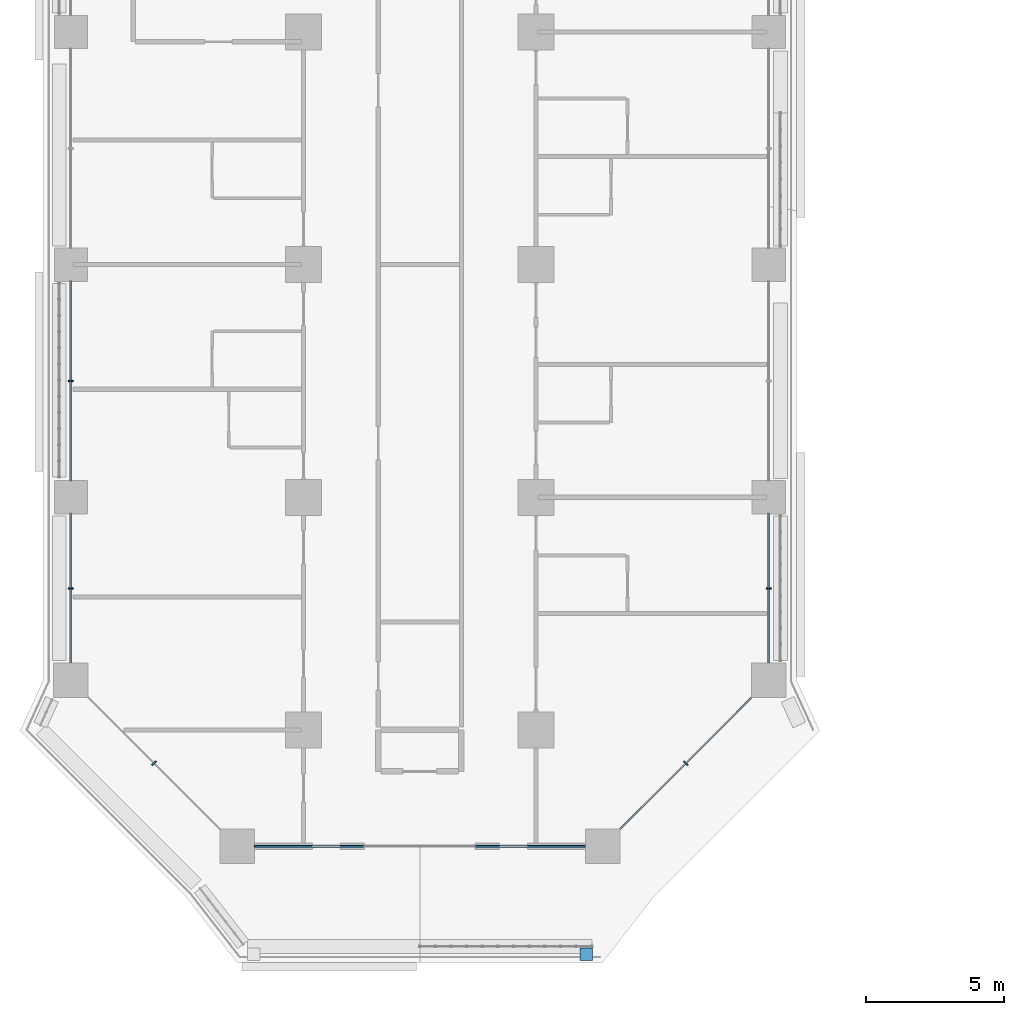
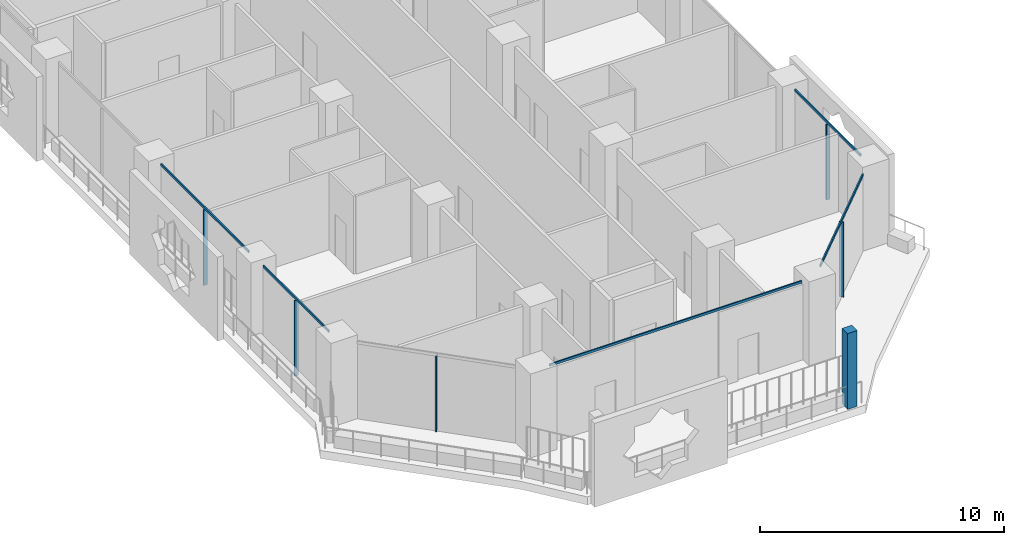
# One storey, part 2 of 29: 11 members, 6 elements without a shape of their own.
"""IFC4 building model written with IfcOpenShell, lengths in metres."""

from ifc_helpers import new_model, si_unit, direction, frame, origin, origin_2d, place, context, subcontext, project, spatial, rectangle, extrude, material, layer, layer_set, material_profile, profile_set, type_object, element, aggregate, save


model = new_model("IFC4")

# Units and contexts
model_context = context("Model", 3, precision=1e-05, world=origin(), true_north=direction((0.0, 1.0)))
body_context = subcontext(model_context, "Body", "Model", "MODEL_VIEW")
ifc_project = project(units=[si_unit("LENGTHUNIT", "METRE"), si_unit("AREAUNIT", "SQUARE_METRE"), si_unit("VOLUMEUNIT", "CUBIC_METRE"), si_unit("PLANEANGLEUNIT", "RADIAN"), si_unit("MASSUNIT", "GRAM", prefix="KILO")], contexts=[model_context])

# Site, building, storey
site_placement = place(None, origin())
site = spatial("IfcSite", under=ifc_project, at=site_placement, CompositionType="ELEMENT")
building_placement = place(site_placement, origin())
building = spatial("IfcBuilding", under=site, at=building_placement, Name="Kawkab Arch Medical Tower", CompositionType="ELEMENT")
storey_placement = place(building_placement, frame((0.0, 0.0, 64.39990234375)))
storey = spatial("IfcBuildingStorey", under=building, at=storey_placement, Name="L14", CompositionType="ELEMENT", Elevation=64.39990234375)

# Curtain wall, members
ifc_material_1 = material(Name="Bronze anodised aluminium curtain wall frame", Category="aluminium")
ifc_layer_1 = layer(ifc_material_1, 0.159912109375)
ifc_layer_set_1 = layer_set([ifc_layer_1], Name="Bronze anodised aluminium curtain wall frame")
curtain_wall_type_1 = type_object("IfcCurtainWallType", Name="CW1 ward curtain wall", PredefinedType="NOTDEFINED", material=ifc_layer_set_1)
placement = place(storey_placement, origin())
curtain_wall_1 = element("IfcCurtainWall", 1, at=placement, inside=storey, type_object=curtain_wall_type_1, Name="CW1 Ward curtain wall R01", PredefinedType="NOTDEFINED")
ifc_material_2 = material(Name="Bronze anodised aluminium curtain wall frame", Category="aluminium")
ifc_material_profile_1 = material_profile(ifc_material_2, rectangle(XDim=0.179931640625, YDim=0.06005859375, at=origin_2d()), Name="AL 60x180")
ifc_profile_set_1 = profile_set([ifc_material_profile_1], Name="Bronze anodised aluminium curtain wall frame")
member_type_1 = type_object("IfcMemberType", Name="CW1 mullion 60 x 180", PredefinedType="MULLION", material=ifc_profile_set_1)
member_1_placement = place(storey_placement, frame((0.0, -54.60009765625, 0.0), z_axis=(0.0, 0.0, 1.0), x_axis=(1.0, 0.0, 0.0)))
member_1 = element("IfcMember", 2, at=member_1_placement, type_object=member_type_1, Name="CW1 mullion 6.1", PredefinedType="MULLION", context=body_context, shape_type="SweptSolid", body=[
    extrude(rectangle(XDim=0.179931640625, YDim=0.06005859375, at=origin_2d()), origin(), (0.0, 0.0, 1.0), 3.780029296875),
])
member_2_placement = place(storey_placement, frame((0.0, -62.08740234375, 0.0), z_axis=(0.0, 0.0, 1.0), x_axis=(1.0, 0.0, 0.0)))
member_2 = element("IfcMember", 3, at=member_2_placement, type_object=member_type_1, Name="CW1 mullion 7.1", PredefinedType="MULLION", context=body_context, shape_type="SweptSolid", body=[
    extrude(rectangle(XDim=0.179931640625, YDim=0.06005859375, at=origin_2d()), origin(), (0.0, 0.0, 1.0), 3.780029296875),
])

# Curtain wall, member
curtain_wall_2 = element("IfcCurtainWall", 4, at=placement, inside=storey, type_object=curtain_wall_type_1, Name="CW1 Ward curtain wall R05", PredefinedType="NOTDEFINED")
member_3_placement = place(storey_placement, frame((25.199951171875, -62.08740234375, 0.0), z_axis=(0.0, 0.0, 1.0), x_axis=(-1.0, 0.0, 0.0)))
member_3 = element("IfcMember", 5, at=member_3_placement, type_object=member_type_1, Name="CW1 mullion 1.1", PredefinedType="MULLION", context=body_context, shape_type="SweptSolid", body=[
    extrude(rectangle(XDim=0.179931640625, YDim=0.06005859375, at=origin_2d()), origin(), (0.0, 0.0, 1.0), 3.780029296875),
])

# Member
ifc_material_3 = material(Name="Bronze anodised aluminium curtain wall frame", Category="aluminium")
ifc_material_profile_2 = material_profile(ifc_material_3, rectangle(XDim=0.06005859375, YDim=0.1201171875, at=origin_2d()), Name="AL 60x120")
ifc_profile_set_2 = profile_set([ifc_material_profile_2], Name="Bronze anodised aluminium curtain wall frame")
member_type_2 = type_object("IfcMemberType", Name="CW1 transom 120 x 60", PredefinedType="USERDEFINED", material=ifc_profile_set_2)
member_4_placement = place(storey_placement, frame((0.0, -51.0, 3.840087890625), z_axis=(0.0, -1.0, 0.0), x_axis=(1.0, 0.0, 0.0)))
member_4 = element("IfcMember", 6, at=member_4_placement, type_object=member_type_2, Name="CW1 transom 6", ObjectType="TRANSOM", PredefinedType="USERDEFINED", context=body_context, shape_type="SweptSolid", body=[
    extrude(rectangle(XDim=0.06005859375, YDim=0.1201171875, at=origin_2d()), origin(), (0.0, 0.0, 1.0), 7.199951171875),
])

member_5_placement = place(storey_placement, frame((0.0, -59.39990234375, 3.840087890625), z_axis=(0.0, -1.0, 0.0), x_axis=(1.0, 0.0, 0.0)))
member_5 = element("IfcMember", 7, at=member_5_placement, type_object=member_type_2, Name="CW1 transom 7", ObjectType="TRANSOM", PredefinedType="USERDEFINED", context=body_context, shape_type="SweptSolid", body=[
    extrude(rectangle(XDim=0.06005859375, YDim=0.1201171875, at=origin_2d()), origin(), (0.0, 0.0, 1.0), 5.375),
])

aggregate(curtain_wall_1, [member_4, member_1, member_5, member_2])

# Curtain wall, member
curtain_wall_3 = element("IfcCurtainWall", 8, at=placement, inside=storey, type_object=curtain_wall_type_1, Name="CW1 Ward curtain wall R03", PredefinedType="NOTDEFINED")
member_6_placement = place(storey_placement, frame((6.625, -71.39990234375, 3.840087890625), z_axis=(1.0, 0.0, 0.0), x_axis=(0.0, 1.0, 0.0)))
member_6 = element("IfcMember", 9, at=member_6_placement, type_object=member_type_2, Name="CW1 transom 1", ObjectType="TRANSOM", PredefinedType="USERDEFINED", context=body_context, shape_type="SweptSolid", body=[
    extrude(rectangle(XDim=0.06005859375, YDim=0.1201171875, at=origin_2d()), origin(), (0.0, 0.0, 1.0), 11.949951171875),
])
aggregate(curtain_wall_3, [member_6])

# Member
member_7_placement = place(storey_placement, frame((25.199951171875, -64.77490234375, 3.840087890625), z_axis=(0.0, 1.0, 0.0), x_axis=(-1.0, 0.0, 0.0)))
member_7 = element("IfcMember", 10, at=member_7_placement, type_object=member_type_2, Name="CW1 transom 1", ObjectType="TRANSOM", PredefinedType="USERDEFINED", context=body_context, shape_type="SweptSolid", body=[
    extrude(rectangle(XDim=0.06005859375, YDim=0.1201171875, at=origin_2d()), origin(), (0.0, 0.0, 1.0), 5.375),
])

aggregate(curtain_wall_2, [member_7, member_3])

# Curtain wall, member
ifc_material_4 = material(Name="Bronze anodised aluminium curtain wall frame", Category="aluminium")
ifc_layer_2 = layer(ifc_material_4, 0.159912109375)
ifc_layer_set_2 = layer_set([ifc_layer_2], Name="Bronze anodised aluminium curtain wall frame")
curtain_wall_type_2 = type_object("IfcCurtainWallType", Name="CW2 chamfer curtain wall", PredefinedType="NOTDEFINED", material=ifc_layer_set_2)
curtain_wall_4 = element("IfcCurtainWall", 11, at=placement, inside=storey, type_object=curtain_wall_type_2, Name="CW2 Chamfer curtain wall R02", PredefinedType="NOTDEFINED")
ifc_material_5 = material(Name="Bronze anodised aluminium curtain wall frame", Category="aluminium")
ifc_material_profile_3 = material_profile(ifc_material_5, rectangle(XDim=0.199951171875, YDim=0.06005859375, at=origin_2d()), Name="AL 60x200")
ifc_profile_set_3 = profile_set([ifc_material_profile_3], Name="Bronze anodised aluminium curtain wall frame")
member_type_3 = type_object("IfcMemberType", Name="CW2 mullion 60 x 200", PredefinedType="MULLION", material=ifc_profile_set_3)
member_8_placement = place(storey_placement, frame((3.0, -68.39990234375, 0.0), z_axis=(0.0, 0.0, 1.0), x_axis=(0.707106781187, 0.707106781187, 0.0)))
member_8 = element("IfcMember", 12, at=member_8_placement, type_object=member_type_3, Name="CW2 mullion 1.1", PredefinedType="MULLION", context=body_context, shape_type="SweptSolid", body=[
    extrude(rectangle(XDim=0.199951171875, YDim=0.06005859375, at=origin_2d()), origin(), (0.0, 0.0, 1.0), 3.760009765625),
])
aggregate(curtain_wall_4, [member_8])

# Curtain wall, members
curtain_wall_5 = element("IfcCurtainWall", 13, at=placement, inside=storey, type_object=curtain_wall_type_2, Name="CW2 Chamfer curtain wall R04", PredefinedType="NOTDEFINED")
member_9_placement = place(storey_placement, frame((22.199951171875, -68.39990234375, 0.0), z_axis=(0.0, 0.0, 1.0), x_axis=(-0.707106781187, 0.707106781187, 0.0)))
member_9 = element("IfcMember", 14, at=member_9_placement, type_object=member_type_3, Name="CW2 mullion 1.1", PredefinedType="MULLION", context=body_context, shape_type="SweptSolid", body=[
    extrude(rectangle(XDim=0.199951171875, YDim=0.06005859375, at=origin_2d()), origin(), (0.0, 0.0, 1.0), 3.760009765625),
])
ifc_material_6 = material(Name="Bronze anodised aluminium curtain wall frame", Category="aluminium")
ifc_material_profile_4 = material_profile(ifc_material_6, rectangle(XDim=0.06005859375, YDim=0.139892578125, at=origin_2d()), Name="AL 60x140")
ifc_profile_set_4 = profile_set([ifc_material_profile_4], Name="Bronze anodised aluminium curtain wall frame")
member_type_4 = type_object("IfcMemberType", Name="CW2 transom 140 x 60", PredefinedType="USERDEFINED", material=ifc_profile_set_4)
member_10_placement = place(storey_placement, frame((19.824951171875, -70.77490234375, 3.830078125), z_axis=(0.707106781187, 0.707106781187, 0.0), x_axis=(-0.707106781187, 0.707106781187, 0.0)))
member_10 = element("IfcMember", 15, at=member_10_placement, type_object=member_type_4, Name="CW2 transom 1", ObjectType="TRANSOM", PredefinedType="USERDEFINED", context=body_context, shape_type="SweptSolid", body=[
    extrude(rectangle(XDim=0.06005859375, YDim=0.139892578125, at=origin_2d()), origin(), (0.0, 0.0, 1.0), 6.717529296875),
])
aggregate(curtain_wall_5, [member_10, member_9])

# Curtain wall, member
ifc_material_7 = material(Name="Bronze anodised aluminium climber frame, planted", Category="aluminium")
ifc_layer_3 = layer(ifc_material_7, 0.449951171875)
ifc_layer_set_3 = layer_set([ifc_layer_3], Name="Bronze anodised aluminium climber frame, planted")
curtain_wall_type_3 = type_object("IfcCurtainWallType", Name="Planted climber frame", PredefinedType="NOTDEFINED", material=ifc_layer_set_3)
curtain_wall_6 = element("IfcCurtainWall", 16, at=placement, inside=storey, type_object=curtain_wall_type_3, Name="Planted climber frame L14", PredefinedType="NOTDEFINED")
ifc_material_8 = material(Name="Bronze anodised aluminium climber frame, planted", Category="aluminium")
ifc_material_profile_5 = material_profile(ifc_material_8, rectangle(XDim=0.449951171875, YDim=0.449951171875, at=origin_2d()), Name="Post 450x450")
ifc_profile_set_5 = profile_set([ifc_material_profile_5], Name="Bronze anodised aluminium climber frame, planted")
member_type_5 = type_object("IfcMemberType", Name="Planted climber post 450 x 450", PredefinedType="MULLION", material=ifc_profile_set_5)
member_11_placement = place(storey_placement, frame((18.60302734375, -75.300048828125, 0.0), z_axis=(0.0, 0.0, 1.0), x_axis=(1.0, 0.0, 0.0)))
member_11 = element("IfcMember", 17, at=member_11_placement, type_object=member_type_5, Name="Planted climber post L14.LOG-01-01.1", PredefinedType="MULLION", context=body_context, shape_type="SweptSolid", body=[
    extrude(rectangle(XDim=0.449951171875, YDim=0.449951171875, at=origin_2d()), origin(), (0.0, 0.0, 1.0), 3.800048828125),
])
aggregate(curtain_wall_6, [member_11])

save(model, "model.ifc")
